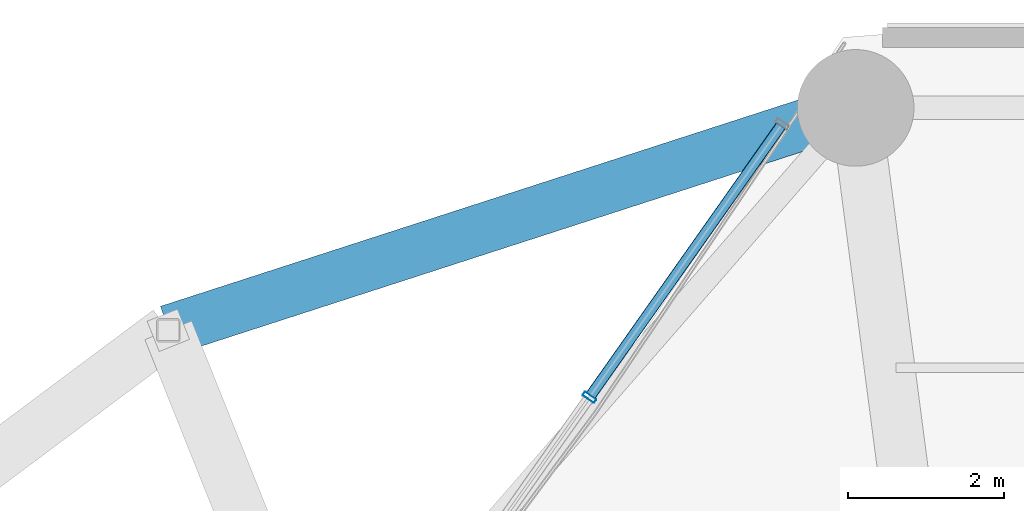
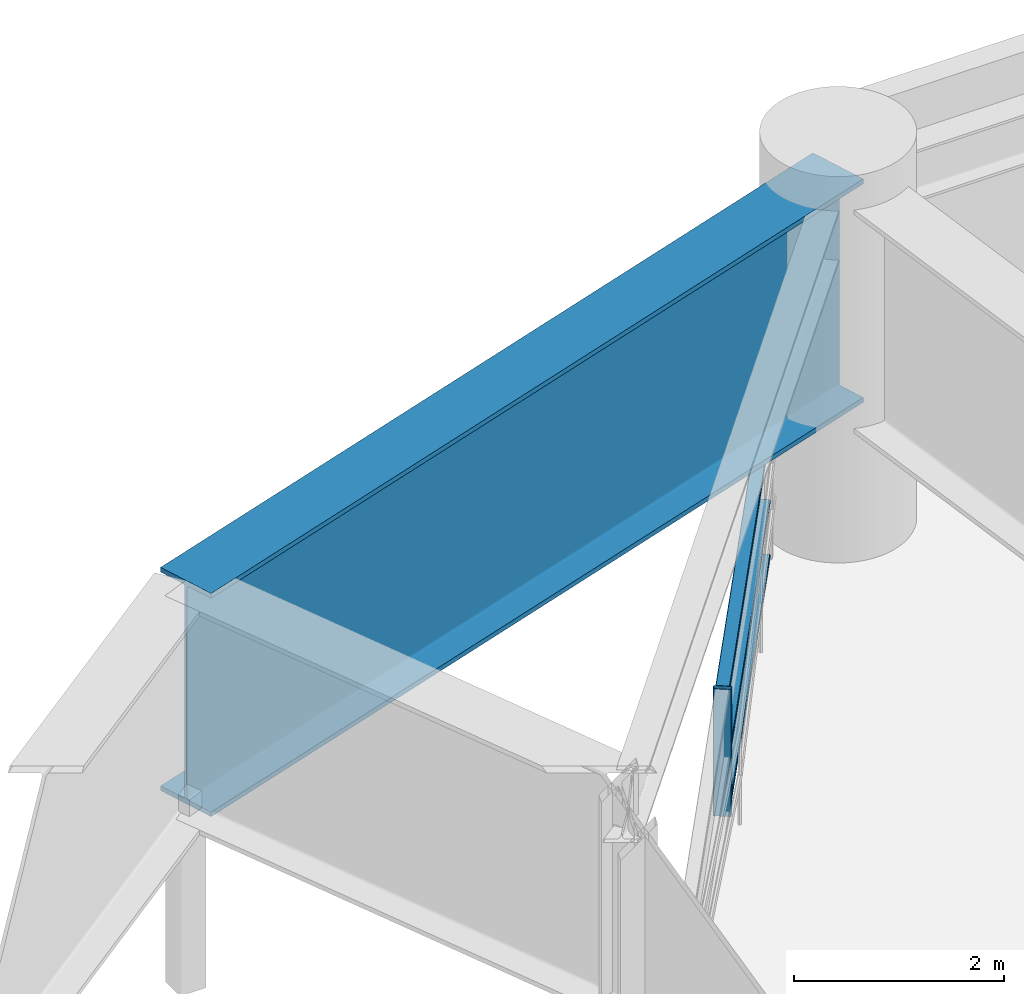
# One storey, part 33 of 53: 4 members, 1 beam, 1 element without a shape of its own.
"""IFC4 building model written with IfcOpenShell, lengths in metres."""

from ifc_helpers import new_model, si_unit, direction, frame, origin, origin_2d, place, context, subcontext, project, spatial, hollow_rectangle, i_section, extrude, material, layer, layer_set, material_profile, profile_set, type_object, element, aggregate, save


model = new_model("IFC4")

# Units and contexts
model_context = context("Model", 3, precision=1e-05, world=origin(), true_north=direction((0.0, 1.0)))
body_context = subcontext(model_context, "Body", "Model", "MODEL_VIEW")
ifc_project = project(units=[si_unit("LENGTHUNIT", "METRE"), si_unit("AREAUNIT", "SQUARE_METRE"), si_unit("VOLUMEUNIT", "CUBIC_METRE"), si_unit("PLANEANGLEUNIT", "RADIAN"), si_unit("MASSUNIT", "GRAM", prefix="KILO")], contexts=[model_context])

# Site, building, storey
site_placement = place(None, origin())
site = spatial("IfcSite", under=ifc_project, at=site_placement, CompositionType="ELEMENT")
building_placement = place(site_placement, origin())
building = spatial("IfcBuilding", under=site, at=building_placement, Name="Kelanora Arch Commons", CompositionType="ELEMENT")
storey_placement = place(building_placement, frame((0.0, 0.0, 9.0)))
storey = spatial("IfcBuildingStorey", under=building, at=storey_placement, Name="L02", CompositionType="ELEMENT", Elevation=9.0)

# Beam
ifc_material_1 = material(Name="Steel S355", Category="steel")
ifc_material_profile_1 = material_profile(ifc_material_1, i_section(OverallWidth=0.64990234375, OverallDepth=2.60009765625, WebThickness=0.034912109375, FlangeThickness=0.054931640625, FilletRadius=0.028076171875, at=origin_2d()), Name="PG2600x650")
ifc_profile_set_1 = profile_set([ifc_material_profile_1], Name="Steel S355")
beam_type = type_object("IfcBeamType", Name="BM-XFER-ARCH", PredefinedType="USERDEFINED", material=ifc_profile_set_1)
beam_placement = place(storey_placement, frame((69.297607421875, 81.714111328125, 2.800048828125), z_axis=(-0.951417120402, -0.307904957748, 0.0), x_axis=(0.307904957748, -0.951417120402, 0.0)))
element("IfcBeam", 1, at=beam_placement, inside=storey, type_object=beam_type, Name="Perimeter Spandrel Beam BS-10 L02", ObjectType="TRANSFER_GIRDER", PredefinedType="USERDEFINED", context=body_context, shape_type="SweptSolid", body=[
    extrude(i_section(OverallWidth=0.64990234375, OverallDepth=2.60009765625, WebThickness=0.034912109375, FlangeThickness=0.054931640625, FilletRadius=0.028076171875, at=origin_2d()), origin(), (0.0, 0.0, 1.0), 9.288818359375),
])

# Curtain wall, members
ifc_material_2 = material(Name="Terracotta ceramic-fritted low-E glass and aluminium", Category="masonry")
ifc_layer = layer(ifc_material_2, 0.2099609375)
ifc_layer_set = layer_set([ifc_layer], Name="Terracotta ceramic-fritted low-E glass and aluminium")
curtain_wall_type = type_object("IfcCurtainWallType", Name="CW-SYS-04", PredefinedType="NOTDEFINED", material=ifc_layer_set)
curtain_wall_placement = place(storey_placement, origin())
curtain_wall = element("IfcCurtainWall", 2, at=curtain_wall_placement, inside=storey, type_object=curtain_wall_type, Name="Unitised Curtain Wall L02-B05", PredefinedType="NOTDEFINED")
ifc_material_3 = material(Name="Powder-coated aluminium terracotta", Category="masonry")
ifc_material_profile_2 = material_profile(ifc_material_3, hollow_rectangle(XDim=0.179931640625, YDim=0.06005859375, WallThickness=0.0048828125, InnerFilletRadius=0.0048828125, OuterFilletRadius=0.010009765625, at=origin_2d()), Name="CWM180x60")
ifc_profile_set_2 = profile_set([ifc_material_profile_2], Name="Powder-coated aluminium terracotta")
member_type_1 = type_object("IfcMemberType", Name="CWM-HVY", PredefinedType="MULLION", material=ifc_profile_set_2)
member_1_placement = place(storey_placement, frame((65.8740234375, 77.9921875, 0.0), z_axis=(0.0, 0.0, 1.0), x_axis=(0.817206133555, -0.576345499922, 0.0)))
member_1 = element("IfcMember", 3, at=member_1_placement, type_object=member_type_1, Name="CW-04 mullion 2", PredefinedType="MULLION", context=body_context, shape_type="SweptSolid", body=[
    extrude(hollow_rectangle(XDim=0.179931640625, YDim=0.06005859375, WallThickness=0.0048828125, InnerFilletRadius=0.0048828125, OuterFilletRadius=0.010009765625, at=origin_2d()), origin(), (0.0, 0.0, 1.0), 1.47998046875),
])
ifc_material_profile_3 = material_profile(ifc_material_3, hollow_rectangle(XDim=0.139892578125, YDim=0.06005859375, WallThickness=0.0048828125, InnerFilletRadius=0.0048828125, OuterFilletRadius=0.010009765625, at=origin_2d()), Name="CWT140x60")
ifc_profile_set_3 = profile_set([ifc_material_profile_3], Name="Powder-coated aluminium terracotta")
member_type_2 = type_object("IfcMemberType", Name="CWT-HVY", PredefinedType="USERDEFINED", material=ifc_profile_set_3)
member_2_placement = place(storey_placement, frame((68.3359375, 81.48291015625, 0.030029296875), z_axis=(-0.576359985732, -0.817195917052, 0.0), x_axis=(0.817195917052, -0.576359985732, 0.0)))
member_2 = element("IfcMember", 4, at=member_2_placement, type_object=member_type_2, Name="CW-04 transom 1.1", ObjectType="TRANSOM", PredefinedType="USERDEFINED", context=body_context, shape_type="SweptSolid", body=[
    extrude(hollow_rectangle(XDim=0.139892578125, YDim=0.06005859375, WallThickness=0.0048828125, InnerFilletRadius=0.0048828125, OuterFilletRadius=0.010009765625, at=origin_2d()), origin(), (0.0, 0.0, 1.0), 4.241455078125),
])
member_3_placement = place(storey_placement, frame((68.3359375, 81.48291015625, 0.666015625), z_axis=(-0.576359985732, -0.817195917052, 0.0), x_axis=(0.817195917052, -0.576359985732, 0.0)))
member_3 = element("IfcMember", 5, at=member_3_placement, type_object=member_type_2, Name="CW-04 transom 1.2", ObjectType="TRANSOM", PredefinedType="USERDEFINED", context=body_context, shape_type="SweptSolid", body=[
    extrude(hollow_rectangle(XDim=0.139892578125, YDim=0.06005859375, WallThickness=0.0048828125, InnerFilletRadius=0.0048828125, OuterFilletRadius=0.010009765625, at=origin_2d()), origin(), (0.0, 0.0, 1.0), 4.241455078125),
])
member_4_placement = place(storey_placement, frame((68.3359375, 81.48291015625, 1.449951171875), z_axis=(-0.576359985732, -0.817195917052, 0.0), x_axis=(0.817195917052, -0.576359985732, 0.0)))
member_4 = element("IfcMember", 6, at=member_4_placement, type_object=member_type_2, Name="CW-04 transom 1.3", ObjectType="TRANSOM", PredefinedType="USERDEFINED", context=body_context, shape_type="SweptSolid", body=[
    extrude(hollow_rectangle(XDim=0.139892578125, YDim=0.06005859375, WallThickness=0.0048828125, InnerFilletRadius=0.0048828125, OuterFilletRadius=0.010009765625, at=origin_2d()), origin(), (0.0, 0.0, 1.0), 4.241455078125),
])
aggregate(curtain_wall, [member_1, member_2, member_3, member_4])

save(model, "model.ifc")
